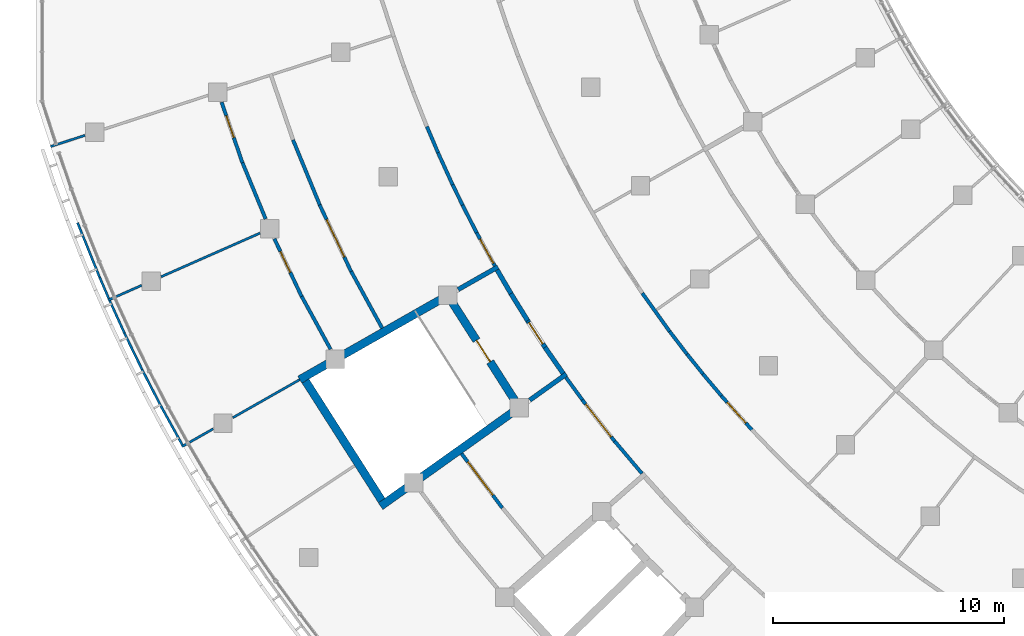
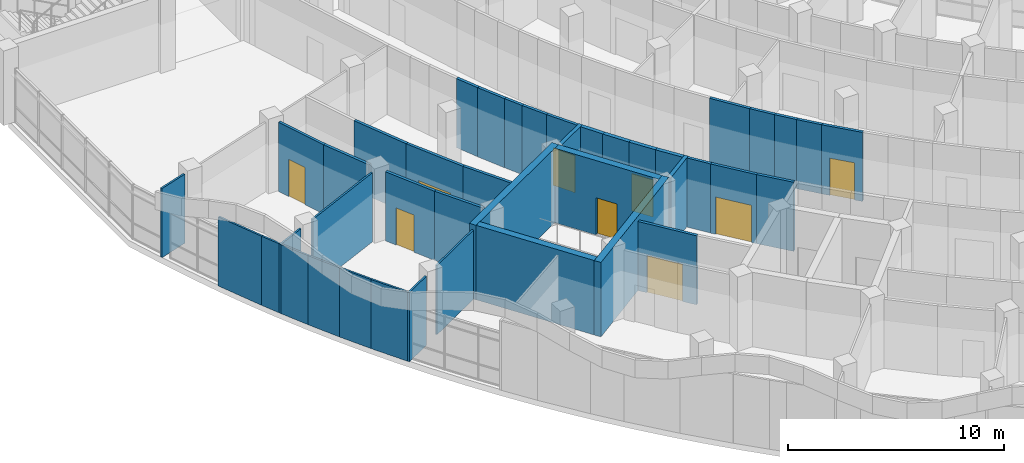
# One storey, part 70 of 137: 42 walls, 9 doors, 9 openings.
"""IFC4 building model written with IfcOpenShell, lengths in metres."""

from ifc_helpers import new_model, si_unit, direction, frame, frame_2d, origin, place, context, subcontext, project, spatial, rectangle, extrude, material, layer, layer_set, type_object, element, fill, save


model = new_model("IFC4")

# Units and contexts
model_context = context("Model", 3, precision=1e-05, world=origin(), true_north=direction((0.0, 1.0)))
body_context = subcontext(model_context, "Body", "Model", "MODEL_VIEW")
ifc_project = project(units=[si_unit("LENGTHUNIT", "METRE"), si_unit("AREAUNIT", "SQUARE_METRE"), si_unit("VOLUMEUNIT", "CUBIC_METRE"), si_unit("PLANEANGLEUNIT", "RADIAN"), si_unit("MASSUNIT", "GRAM", prefix="KILO")], contexts=[model_context])

# Site, building, storey
site_placement = place(None, origin())
site = spatial("IfcSite", under=ifc_project, at=site_placement, CompositionType="ELEMENT")
building_placement = place(site_placement, origin())
building = spatial("IfcBuilding", under=site, at=building_placement, Name="Bougainvillea Quay General Hospital", CompositionType="ELEMENT")
storey_placement = place(building_placement, frame((0.0, 0.0, 16.800048828125)))
storey = spatial("IfcBuildingStorey", under=building, at=storey_placement, Name="L03", CompositionType="ELEMENT", Elevation=16.800048828125)

# Walls
ifc_material_1 = material(Name="Gypsum board partition on steel studs", Category="steel")
ifc_layer_1 = layer(ifc_material_1, 0.10009765625)
ifc_layer_set_1 = layer_set([ifc_layer_1], Name="Gypsum board partition on steel studs")
wall_type_1 = type_object("IfcWallType", Name="Partition 100 Gypsum board partition EI 30", PredefinedType="PARTITIONING", material=ifc_layer_set_1)
wall_1_placement = place(storey_placement, frame((42.6259765625, 104.368896484375, 0.0), z_axis=(0.0, 0.0, 1.0), x_axis=(0.951042089894, 0.309061390748, 0.0)))
element("IfcWall", 1, at=wall_1_placement, inside=storey, type_object=wall_type_1, Name="Partition 100 mm EI 30", PredefinedType="PARTITIONING", context=body_context, shape_type="SweptSolid", body=[
    extrude(rectangle(XDim=1.565673828125, YDim=0.10009765625, at=frame_2d((0.78271484375, 0.0))), origin(), (0.0, 0.0, 1.0), 3.89990234375),
])
wall_2_placement = place(storey_placement, frame((48.3125, 91.371337890625, 0.0), z_axis=(0.0, 0.0, 1.0), x_axis=(0.869234661703, 0.494399739981, 0.0)))
element("IfcWall", 2, at=wall_2_placement, inside=storey, type_object=wall_type_1, Name="Partition 100 mm EI 30", PredefinedType="PARTITIONING", context=body_context, shape_type="SweptSolid", body=[
    extrude(rectangle(XDim=1.557861328125, YDim=0.10009765625, at=frame_2d((0.77880859375, 0.0))), origin(), (0.0, 0.0, 1.0), 3.89990234375),
])
wall_3_placement = place(storey_placement, frame((50.51513671875, 92.624267578125, 0.0), z_axis=(0.0, 0.0, 1.0), x_axis=(0.869240805435, 0.494388938152, 0.0)))
element("IfcWall", 3, at=wall_3_placement, inside=storey, type_object=wall_type_1, Name="Partition 100 mm EI 30", PredefinedType="PARTITIONING", context=body_context, shape_type="SweptSolid", body=[
    extrude(rectangle(XDim=3.337158203125, YDim=0.10009765625, at=frame_2d((1.66845703125, 0.0))), origin(), (0.0, 0.0, 1.0), 3.89990234375),
])
wall_4_placement = place(storey_placement, frame((45.1171875, 97.71484375, 0.0), z_axis=(0.0, 0.0, 1.0), x_axis=(0.914854349244, 0.403784001254, 0.0)))
element("IfcWall", 4, at=wall_4_placement, inside=storey, type_object=wall_type_1, Name="Partition 100 mm EI 30", PredefinedType="PARTITIONING", context=body_context, shape_type="SweptSolid", body=[
    extrude(rectangle(XDim=1.58837890625, YDim=0.10009765625, at=frame_2d((0.794189453125, 0.0))), origin(), (0.0, 0.0, 1.0), 3.89990234375),
])
wall_5_placement = place(storey_placement, frame((47.409912109375, 98.726806640625, 0.0), z_axis=(0.0, 0.0, 1.0), x_axis=(0.914855501136, 0.403781391401, 0.0)))
element("IfcWall", 5, at=wall_5_placement, inside=storey, type_object=wall_type_1, Name="Partition 100 mm EI 30", PredefinedType="PARTITIONING", context=body_context, shape_type="SweptSolid", body=[
    extrude(rectangle(XDim=4.682861328125, YDim=0.10009765625, at=frame_2d((2.34130859375, 0.0))), origin(), (0.0, 0.0, 1.0), 3.89990234375),
])
wall_6_placement = place(storey_placement, frame((43.791015625, 101.069091796875, 0.0), z_axis=(0.0, 0.0, 1.0), x_axis=(0.374360148829, -0.927283386549, 0.0)))
element("IfcWall", 6, at=wall_6_placement, inside=storey, type_object=wall_type_1, Name="Partition 100 mm EI 30", PredefinedType="PARTITIONING", context=body_context, shape_type="SweptSolid", body=[
    extrude(rectangle(XDim=2.5498046875, YDim=0.10009765625, at=frame_2d((1.27490234375, 0.0))), origin(), (0.0, 0.0, 1.0), 3.89990234375),
])
wall_7_placement = place(storey_placement, frame((47.3837890625, 93.15771484375, 0.0), z_axis=(0.0, 0.0, 1.0), x_axis=(0.483136563149, -0.87554500818, 0.0)))
element("IfcWall", 7, at=wall_7_placement, inside=storey, type_object=wall_type_1, Name="Partition 100 mm EI 30", PredefinedType="PARTITIONING", context=body_context, shape_type="SweptSolid", body=[
    extrude(rectangle(XDim=1.961669921875, YDim=0.10009765625, at=frame_2d((0.98095703125, 0.0))), origin(), (0.0, 0.0, 1.0), 3.89990234375),
])
wall_8_placement = place(storey_placement, frame((46.5830078125, 94.71240234375, 0.0), z_axis=(0.0, 0.0, 1.0), x_axis=(0.458671346527, -0.888605984604, 0.0)))
element("IfcWall", 8, at=wall_8_placement, inside=storey, type_object=wall_type_1, Name="Partition 100 mm EI 30", PredefinedType="PARTITIONING", context=body_context, shape_type="SweptSolid", body=[
    extrude(rectangle(XDim=1.750244140625, YDim=0.10009765625, at=frame_2d((0.875, 0.0))), origin(), (0.0, 0.0, 1.0), 3.89990234375),
])
wall_9_placement = place(storey_placement, frame((45.8203125, 96.285888671875, 0.0), z_axis=(0.0, 0.0, 1.0), x_axis=(0.436858804859, -0.899530091002, 0.0)))
element("IfcWall", 9, at=wall_9_placement, inside=storey, type_object=wall_type_1, Name="Partition 100 mm EI 30", PredefinedType="PARTITIONING", context=body_context, shape_type="SweptSolid", body=[
    extrude(rectangle(XDim=1.749755859375, YDim=0.10009765625, at=frame_2d((0.875, 0.0))), origin(), (0.0, 0.0, 1.0), 3.89990234375),
])
wall_10_placement = place(storey_placement, frame((45.183837890625, 97.68896484375, 0.0), z_axis=(0.0, 0.0, 1.0), x_axis=(0.413779082593, -0.910377323316, 0.0)))
element("IfcWall", 10, at=wall_10_placement, inside=storey, type_object=wall_type_1, Name="Partition 100 mm EI 30", PredefinedType="PARTITIONING", context=body_context, shape_type="SweptSolid", body=[
    extrude(rectangle(XDim=1.541748046875, YDim=0.10009765625, at=frame_2d((0.77099609375, 0.0))), origin(), (0.0, 0.0, 1.0), 3.89990234375),
])
wall_11_placement = place(storey_placement, frame((44.746337890625, 98.7060546875, 0.0), z_axis=(0.0, 0.0, 1.0), x_axis=(0.394329278157, -0.918969216235, 0.0)))
element("IfcWall", 11, at=wall_11_placement, inside=storey, type_object=wall_type_1, Name="Partition 100 mm EI 30", PredefinedType="PARTITIONING", context=body_context, shape_type="SweptSolid", body=[
    extrude(rectangle(XDim=1.006103515625, YDim=0.10009765625, at=frame_2d((0.5029296875, 0.0))), origin(), (0.0, 0.0, 1.0), 3.89990234375),
])

# Wall, opening, door
ifc_material_2 = material(Name="Gypsum board partition on steel studs, insulated", Category="steel")
ifc_layer_2 = layer(ifc_material_2, 0.14990234375)
ifc_layer_set_2 = layer_set([ifc_layer_2], Name="Gypsum board partition on steel studs, insulated")
wall_type_2 = type_object("IfcWallType", Name="Partition 150 Gypsum board partition EI 30", PredefinedType="PARTITIONING", material=ifc_layer_set_2)
wall_12_placement = place(storey_placement, frame((50.03076171875, 106.2890625, 0.0), z_axis=(0.0, 0.0, 1.0), x_axis=(0.324824658283, -0.945774254974, 0.0)))
wall_12 = element("IfcWall", 12, at=wall_12_placement, inside=storey, type_object=wall_type_2, Name="Partition 150 mm EI 30", PredefinedType="PARTITIONING", context=body_context, shape_type="SweptSolid", body=[
    extrude(rectangle(XDim=2.78173828125, YDim=0.14990234375, at=frame_2d((1.390869140625, 0.0))), origin(), (0.0, 0.0, 1.0), 3.89990234375),
])
opening_1_placement = place(wall_12_placement, frame((0.62451171875, 0.0, 0.0)))
opening_1 = element("IfcOpeningElement", 13, at=opening_1_placement, cuts=wall_12, Name="Opening L03.170", PredefinedType="OPENING", context=body_context, shape_type="SweptSolid", body=[
    extrude(rectangle(XDim=1.0, YDim=2.10009765625, at=frame_2d((0.5, 1.050048828125))), frame((0.0, 0.0849609375, 0.0), z_axis=(0.0, -1.0, 0.0), x_axis=(1.0, 0.0, 0.0)), (0.0, 0.0, 1.0), 0.169921875),
])
ifc_material_3 = material(Name="Solid-core timber door leaf in steel frame", Category="steel")
door_type_1 = type_object("IfcDoorType", Name="Single leaf door 1000x2100 FD30S", OperationType="NOTDEFINED", PredefinedType="DOOR", material=ifc_material_3)
door_1_placement = place(opening_1_placement, frame((1.0, 0.0, 0.0), z_axis=(0.0, 0.0, 1.0), x_axis=(-1.0, 0.0, 0.0)))
door_1 = element("IfcDoor", 14, at=door_1_placement, inside=storey, type_object=door_type_1, Name="DT15 L03.170", OperationType="SINGLE_SWING_RIGHT", OverallHeight=2.10009765625, OverallWidth=1.0, PredefinedType="DOOR", context=body_context, shape_type="SweptSolid", body=[
    extrude(rectangle(XDim=1.0, YDim=2.10009765625, at=frame_2d((0.5, 1.050048828125))), frame((0.0, 0.02490234375, 0.0), z_axis=(0.0, -1.0, 0.0), x_axis=(1.0, 0.0, 0.0)), (0.0, 0.0, 1.0), 0.050048828125),
])
fill(opening_1, door_1)

wall_13_placement = place(storey_placement, frame((52.3173828125, 100.37158203125, 0.0), z_axis=(0.0, 0.0, 1.0), x_axis=(0.426699152938, -0.904393627179, 0.0)))
wall_13 = element("IfcWall", 15, at=wall_13_placement, inside=storey, type_object=wall_type_2, Name="Partition 150 mm EI 30", PredefinedType="PARTITIONING", context=body_context, shape_type="SweptSolid", body=[
    extrude(rectangle(XDim=2.762451171875, YDim=0.14990234375, at=frame_2d((1.38134765625, 0.0))), origin(), (0.0, 0.0, 1.0), 3.89990234375),
])
opening_2_placement = place(wall_13_placement, frame((0.605224609375, 0.0, 0.0)))
opening_2 = element("IfcOpeningElement", 16, at=opening_2_placement, cuts=wall_13, Name="Opening L03.169", PredefinedType="OPENING", context=body_context, shape_type="SweptSolid", body=[
    extrude(rectangle(XDim=1.0, YDim=2.10009765625, at=frame_2d((0.5, 1.050048828125))), frame((0.0, 0.0849609375, 0.0), z_axis=(0.0, -1.0, 0.0), x_axis=(1.0, 0.0, 0.0)), (0.0, 0.0, 1.0), 0.169921875),
])
door_2_placement = place(opening_2_placement, frame((1.0, 0.0, 0.0), z_axis=(0.0, 0.0, 1.0), x_axis=(-1.0, 0.0, 0.0)))
door_2 = element("IfcDoor", 17, at=door_2_placement, inside=storey, type_object=door_type_1, Name="DT15 L03.169", OperationType="SINGLE_SWING_RIGHT", OverallHeight=2.10009765625, OverallWidth=1.0, PredefinedType="DOOR", context=body_context, shape_type="SweptSolid", body=[
    extrude(rectangle(XDim=1.0, YDim=2.10009765625, at=frame_2d((0.5, 1.050048828125))), frame((0.0, 0.02490234375, 0.0), z_axis=(0.0, -1.0, 0.0), x_axis=(1.0, 0.0, 0.0)), (0.0, 0.0, 1.0), 0.050048828125),
])
fill(opening_2, door_2)

# Walls
wall_14_placement = place(storey_placement, frame((50.93701171875, 103.66357421875, 0.0), z_axis=(0.0, 0.0, 1.0), x_axis=(0.380525729279, -0.924770333302, 0.0)))
element("IfcWall", 18, at=wall_14_placement, inside=storey, type_object=wall_type_2, Name="Partition 150 mm EI 30", PredefinedType="PARTITIONING", context=body_context, shape_type="SweptSolid", body=[
    extrude(rectangle(XDim=2.630615234375, YDim=0.14990234375, at=frame_2d((1.3154296875, 0.0))), origin(), (0.0, 0.0, 1.0), 3.89990234375),
])
wall_15_placement = place(storey_placement, frame((53.497802734375, 97.87890625, 0.0), z_axis=(0.0, 0.0, 1.0), x_axis=(0.479886541842, -0.877330557407, 0.0)))
element("IfcWall", 19, at=wall_15_placement, inside=storey, type_object=wall_type_2, Name="Partition 150 mm EI 30", PredefinedType="PARTITIONING", context=body_context, shape_type="SweptSolid", body=[
    extrude(rectangle(XDim=2.61181640625, YDim=0.14990234375, at=frame_2d((1.305908203125, 0.0))), origin(), (0.0, 0.0, 1.0), 3.89990234375),
])

# Wall, opening, door
wall_16_placement = place(storey_placement, frame((54.277099609375, 101.83984375, 0.0), z_axis=(0.0, 0.0, 1.0), x_axis=(0.426790955489, -0.904350308405, 0.0)))
wall_16 = element("IfcWall", 20, at=wall_16_placement, inside=storey, type_object=wall_type_2, Name="Partition 150 mm EI 30", PredefinedType="PARTITIONING", context=body_context, shape_type="SweptSolid", body=[
    extrude(rectangle(XDim=3.193115234375, YDim=0.14990234375, at=frame_2d((1.5966796875, 0.0))), origin(), (0.0, 0.0, 1.0), 3.89990234375),
])
opening_3_placement = place(wall_16_placement, frame((0.696533203125, 0.0, 0.0)))
opening_3 = element("IfcOpeningElement", 21, at=opening_3_placement, cuts=wall_16, Name="Opening L03.141", PredefinedType="OPENING", context=body_context, shape_type="SweptSolid", body=[
    extrude(rectangle(XDim=1.800048828125, YDim=2.10009765625, at=frame_2d((0.89990234375, 1.050048828125))), frame((0.0, 0.0849609375, 0.0), z_axis=(0.0, -1.0, 0.0), x_axis=(1.0, 0.0, 0.0)), (0.0, 0.0, 1.0), 0.169921875),
])
ifc_material_4 = material(Name="Solid-core timber door leaves in steel frame", Category="steel")
door_type_2 = type_object("IfcDoorType", Name="Double leaf door 1800x2100", OperationType="DOUBLE_DOOR_SINGLE_SWING", PredefinedType="DOOR", material=ifc_material_4)
door_3_placement = place(opening_3_placement, frame((1.800048828125, 0.0, 0.0), z_axis=(0.0, 0.0, 1.0), x_axis=(-1.0, 0.0, 0.0)))
door_3 = element("IfcDoor", 22, at=door_3_placement, inside=storey, type_object=door_type_2, Name="DT08 L03.141", OperationType="DOUBLE_DOOR_SINGLE_SWING", OverallHeight=2.10009765625, OverallWidth=1.800048828125, PredefinedType="DOOR", context=body_context, shape_type="SweptSolid", body=[
    extrude(rectangle(XDim=1.800048828125, YDim=2.10009765625, at=frame_2d((0.89990234375, 1.050048828125))), frame((0.0, 0.02490234375, 0.0), z_axis=(0.0, -1.0, 0.0), x_axis=(1.0, 0.0, 0.0)), (0.0, 0.0, 1.0), 0.050048828125),
])
fill(opening_3, door_3)

# Wall
wall_17_placement = place(storey_placement, frame((53.12255859375, 104.655517578125, 0.0), z_axis=(0.0, 0.0, 1.0), x_axis=(0.380463637507, -0.92479588047, 0.0)))
element("IfcWall", 23, at=wall_17_placement, inside=storey, type_object=wall_type_2, Name="Partition 150 mm EI 30", PredefinedType="PARTITIONING", context=body_context, shape_type="SweptSolid", body=[
    extrude(rectangle(XDim=3.046875, YDim=0.14990234375, at=frame_2d((1.5234375, 0.0))), origin(), (0.0, 0.0, 1.0), 3.89990234375),
])

# Wall, opening, door
wall_18_placement = place(storey_placement, frame((60.4228515625, 91.06787109375, 0.0), z_axis=(0.0, 0.0, 1.0), x_axis=(0.600119519183, -0.799910346661, 0.0)))
wall_18 = element("IfcWall", 24, at=wall_18_placement, inside=storey, type_object=wall_type_2, Name="Partition 150 mm EI 30", PredefinedType="PARTITIONING", context=body_context, shape_type="SweptSolid", body=[
    extrude(rectangle(XDim=2.94140625, YDim=0.14990234375, at=frame_2d((1.470703125, 0.0))), origin(), (0.0, 0.0, 1.0), 3.89990234375),
])
opening_4_placement = place(wall_18_placement, frame((0.44482421875, 0.0, 0.0)))
opening_4 = element("IfcOpeningElement", 25, at=opening_4_placement, cuts=wall_18, Name="Opening L03.140", PredefinedType="OPENING", context=body_context, shape_type="SweptSolid", body=[
    extrude(rectangle(XDim=1.800048828125, YDim=2.10009765625, at=frame_2d((0.89990234375, 1.050048828125))), frame((0.0, 0.0849609375, 0.0), z_axis=(0.0, -1.0, 0.0), x_axis=(1.0, 0.0, 0.0)), (0.0, 0.0, 1.0), 0.169921875),
])
door_4_placement = place(opening_4_placement, frame((1.800048828125, 0.0, 0.0), z_axis=(0.0, 0.0, 1.0), x_axis=(-1.0, 0.0, 0.0)))
door_4 = element("IfcDoor", 26, at=door_4_placement, inside=storey, type_object=door_type_2, Name="DT08 L03.140", OperationType="DOUBLE_DOOR_SINGLE_SWING", OverallHeight=2.10009765625, OverallWidth=1.800048828125, PredefinedType="DOOR", context=body_context, shape_type="SweptSolid", body=[
    extrude(rectangle(XDim=1.800048828125, YDim=2.10009765625, at=frame_2d((0.89990234375, 1.050048828125))), frame((0.0, 0.02490234375, 0.0), z_axis=(0.0, -1.0, 0.0), x_axis=(1.0, 0.0, 0.0)), (0.0, 0.0, 1.0), 0.050048828125),
])
fill(opening_4, door_4)

# Wall
wall_19_placement = place(storey_placement, frame((55.64208984375, 98.9580078125, 0.0), z_axis=(0.0, 0.0, 1.0), x_axis=(0.479861725731, -0.877344130988, 0.0)))
element("IfcWall", 27, at=wall_19_placement, inside=storey, type_object=wall_type_2, Name="Partition 150 mm EI 30", PredefinedType="PARTITIONING", context=body_context, shape_type="SweptSolid", body=[
    extrude(rectangle(XDim=2.794677734375, YDim=0.14990234375, at=frame_2d((1.3974609375, 0.0))), origin(), (0.0, 0.0, 1.0), 3.89990234375),
])

# Wall, opening, door
wall_20_placement = place(storey_placement, frame((65.646728515625, 93.401123046875, 0.0), z_axis=(0.0, 0.0, 1.0), x_axis=(0.615999292534, -0.787746705228, 0.0)))
wall_20 = element("IfcWall", 28, at=wall_20_placement, inside=storey, type_object=wall_type_2, Name="Partition 150 mm EI 30", PredefinedType="PARTITIONING", context=body_context, shape_type="SweptSolid", body=[
    extrude(rectangle(XDim=2.280029296875, YDim=0.14990234375, at=frame_2d((1.14013671875, 0.0))), origin(), (0.0, 0.0, 1.0), 3.89990234375),
])
opening_5_placement = place(wall_20_placement, frame((0.239990234375, 0.0, 0.0)))
opening_5 = element("IfcOpeningElement", 29, at=opening_5_placement, cuts=wall_20, Name="Opening L03.154", PredefinedType="OPENING", context=body_context, shape_type="SweptSolid", body=[
    extrude(rectangle(XDim=1.800048828125, YDim=2.10009765625, at=frame_2d((0.89990234375, 1.050048828125))), frame((0.0, 0.0849609375, 0.0), z_axis=(0.0, -1.0, 0.0), x_axis=(1.0, 0.0, 0.0)), (0.0, 0.0, 1.0), 0.169921875),
])
door_5_placement = place(opening_5_placement, origin())
door_5 = element("IfcDoor", 30, at=door_5_placement, inside=storey, type_object=door_type_2, Name="DT08 L03.154", OperationType="DOUBLE_DOOR_SINGLE_SWING", OverallHeight=2.10009765625, OverallWidth=1.800048828125, PredefinedType="DOOR", context=body_context, shape_type="SweptSolid", body=[
    extrude(rectangle(XDim=1.800048828125, YDim=2.10009765625, at=frame_2d((0.89990234375, 1.050048828125))), frame((0.0, 0.02490234375, 0.0), z_axis=(0.0, -1.0, 0.0), x_axis=(1.0, 0.0, 0.0)), (0.0, 0.0, 1.0), 0.050048828125),
])
fill(opening_5, door_5)

# Walls
wall_21_placement = place(storey_placement, frame((67.051513671875, 91.60888671875, 0.0), z_axis=(0.0, 0.0, 1.0), x_axis=(0.645369063346, -0.763870913228, 0.0)))
element("IfcWall", 31, at=wall_21_placement, inside=storey, type_object=wall_type_2, Name="Partition 150 mm EI 30", PredefinedType="PARTITIONING", context=body_context, shape_type="SweptSolid", body=[
    extrude(rectangle(XDim=1.83349609375, YDim=0.14990234375, at=frame_2d((0.916748046875, 0.0))), origin(), (0.0, 0.0, 1.0), 3.89990234375),
])
wall_22_placement = place(storey_placement, frame((68.247314453125, 98.02001953125, 0.0), z_axis=(0.0, 0.0, 1.0), x_axis=(0.580842026392, -0.81401630228, 0.0)))
element("IfcWall", 32, at=wall_22_placement, inside=storey, type_object=wall_type_2, Name="Partition 150 mm EI 30", PredefinedType="PARTITIONING", context=body_context, shape_type="SweptSolid", body=[
    extrude(rectangle(XDim=2.040771484375, YDim=0.14990234375, at=frame_2d((1.0205078125, 0.0))), origin(), (0.0, 0.0, 1.0), 3.89990234375),
])

# Wall, opening, door
wall_23_placement = place(storey_placement, frame((71.666748046875, 93.576904296875, 0.0), z_axis=(0.0, 0.0, 1.0), x_axis=(0.668733315137, -0.743502355898, 0.0)))
wall_23 = element("IfcWall", 33, at=wall_23_placement, inside=storey, type_object=wall_type_2, Name="Partition 150 mm EI 30", PredefinedType="PARTITIONING", context=body_context, shape_type="SweptSolid", body=[
    extrude(rectangle(XDim=1.98193359375, YDim=0.14990234375, at=frame_2d((0.990966796875, 0.0))), origin(), (0.0, 0.0, 1.0), 3.89990234375),
])
opening_6_placement = place(wall_23_placement, frame((0.390869140625, 0.0, 0.0)))
opening_6 = element("IfcOpeningElement", 34, at=opening_6_placement, cuts=wall_23, Name="Opening L03.157", PredefinedType="OPENING", context=body_context, shape_type="SweptSolid", body=[
    extrude(rectangle(XDim=1.199951171875, YDim=2.10009765625, at=frame_2d((0.60009765625, 1.050048828125))), frame((0.0, 0.0849609375, 0.0), z_axis=(0.0, -1.0, 0.0), x_axis=(1.0, 0.0, 0.0)), (0.0, 0.0, 1.0), 0.169921875),
])
door_type_3 = type_object("IfcDoorType", Name="Single leaf door 1200x2100", OperationType="NOTDEFINED", PredefinedType="DOOR", material=ifc_material_3)
door_6_placement = place(opening_6_placement, frame((1.199951171875, 0.0, 0.0), z_axis=(0.0, 0.0, 1.0), x_axis=(-1.0, 0.0, 0.0)))
door_6 = element("IfcDoor", 35, at=door_6_placement, inside=storey, type_object=door_type_3, Name="DT13 L03.157", OperationType="SINGLE_SWING_RIGHT", OverallHeight=2.10009765625, OverallWidth=1.199951171875, PredefinedType="DOOR", context=body_context, shape_type="SweptSolid", body=[
    extrude(rectangle(XDim=1.199951171875, YDim=2.10009765625, at=frame_2d((0.60009765625, 1.050048828125))), frame((0.0, 0.02490234375, 0.0), z_axis=(0.0, -1.0, 0.0), x_axis=(1.0, 0.0, 0.0)), (0.0, 0.0, 1.0), 0.050048828125),
])
fill(opening_6, door_6)

wall_24_placement = place(storey_placement, frame((61.07080078125, 100.640869140625, 0.0), z_axis=(0.0, 0.0, 1.0), x_axis=(0.481122709727, -0.876653259952, 0.0)))
wall_24 = element("IfcWall", 36, at=wall_24_placement, inside=storey, type_object=wall_type_2, Name="Partition 150 mm EI 30", PredefinedType="PARTITIONING", context=body_context, shape_type="SweptSolid", body=[
    extrude(rectangle(XDim=1.648681640625, YDim=0.14990234375, at=frame_2d((0.82421875, 0.0))), origin(), (0.0, 0.0, 1.0), 3.89990234375),
])
opening_7_placement = place(wall_24_placement, frame((0.312744140625, 0.0, 0.0)))
opening_7 = element("IfcOpeningElement", 37, at=opening_7_placement, cuts=wall_24, Name="Opening L03.155", PredefinedType="OPENING", context=body_context, shape_type="SweptSolid", body=[
    extrude(rectangle(XDim=1.199951171875, YDim=2.10009765625, at=frame_2d((0.60009765625, 1.050048828125))), frame((0.0, 0.0849609375, 0.0), z_axis=(0.0, -1.0, 0.0), x_axis=(1.0, 0.0, 0.0)), (0.0, 0.0, 1.0), 0.169921875),
])
door_7_placement = place(opening_7_placement, origin())
door_7 = element("IfcDoor", 38, at=door_7_placement, inside=storey, type_object=door_type_3, Name="DT13 L03.155", OperationType="SINGLE_SWING_RIGHT", OverallHeight=2.10009765625, OverallWidth=1.199951171875, PredefinedType="DOOR", context=body_context, shape_type="SweptSolid", body=[
    extrude(rectangle(XDim=1.199951171875, YDim=2.10009765625, at=frame_2d((0.60009765625, 1.050048828125))), frame((0.0, 0.02490234375, 0.0), z_axis=(0.0, -1.0, 0.0), x_axis=(1.0, 0.0, 0.0)), (0.0, 0.0, 1.0), 0.050048828125),
])
fill(opening_7, door_7)

# Walls
wall_25_placement = place(storey_placement, frame((64.939208984375, 94.373779296875, 0.0), z_axis=(0.0, 0.0, 1.0), x_axis=(0.589904843898, -0.807472770529, 0.0)))
element("IfcWall", 39, at=wall_25_placement, inside=storey, type_object=wall_type_2, Name="Partition 150 mm EI 30", PredefinedType="PARTITIONING", context=body_context, shape_type="SweptSolid", body=[
    extrude(rectangle(XDim=1.205078125, YDim=0.14990234375, at=frame_2d((0.6025390625, 0.0))), origin(), (0.0, 0.0, 1.0), 3.89990234375),
])
wall_26_placement = place(storey_placement, frame((59.40087890625, 104.101318359375, 0.0), z_axis=(0.0, 0.0, 1.0), x_axis=(0.415269380583, -0.909698489363, 0.0)))
element("IfcWall", 40, at=wall_26_placement, inside=storey, type_object=wall_type_2, Name="Partition 150 mm EI 30", PredefinedType="PARTITIONING", context=body_context, shape_type="SweptSolid", body=[
    extrude(rectangle(XDim=1.52978515625, YDim=0.14990234375, at=frame_2d((0.764892578125, 0.0))), origin(), (0.0, 0.0, 1.0), 3.89990234375),
])
wall_27_placement = place(storey_placement, frame((58.919677734375, 105.23486328125, 0.0), z_axis=(0.0, 0.0, 1.0), x_axis=(0.392150618993, -0.919901022949, 0.0)))
element("IfcWall", 41, at=wall_27_placement, inside=storey, type_object=wall_type_2, Name="Partition 150 mm EI 30", PredefinedType="PARTITIONING", context=body_context, shape_type="SweptSolid", body=[
    extrude(rectangle(XDim=1.2333984375, YDim=0.14990234375, at=frame_2d((0.61669921875, 0.0))), origin(), (0.0, 0.0, 1.0), 3.89990234375),
])
wall_28_placement = place(storey_placement, frame((60.461669921875, 101.831787109375, 0.0), z_axis=(0.0, 0.0, 1.0), x_axis=(0.456808582034, -0.889565016949, 0.0)))
element("IfcWall", 42, at=wall_28_placement, inside=storey, type_object=wall_type_2, Name="Partition 150 mm EI 30", PredefinedType="PARTITIONING", context=body_context, shape_type="SweptSolid", body=[
    extrude(rectangle(XDim=1.33984375, YDim=0.14990234375, at=frame_2d((0.669921875, 0.0))), origin(), (0.0, 0.0, 1.0), 3.89990234375),
])
wall_29_placement = place(storey_placement, frame((69.43310546875, 96.3623046875, 0.0), z_axis=(0.0, 0.0, 1.0), x_axis=(0.606457599152, -0.795115828311, 0.0)))
element("IfcWall", 43, at=wall_29_placement, inside=storey, type_object=wall_type_2, Name="Partition 150 mm EI 30", PredefinedType="PARTITIONING", context=body_context, shape_type="SweptSolid", body=[
    extrude(rectangle(XDim=1.242431640625, YDim=0.14990234375, at=frame_2d((0.62109375, 0.0))), origin(), (0.0, 0.0, 1.0), 3.89990234375),
])
wall_30_placement = place(storey_placement, frame((70.86865234375, 94.525390625, 0.0), z_axis=(0.0, 0.0, 1.0), x_axis=(0.645236922374, -0.763982535144, 0.0)))
element("IfcWall", 44, at=wall_30_placement, inside=storey, type_object=wall_type_2, Name="Partition 150 mm EI 30", PredefinedType="PARTITIONING", context=body_context, shape_type="SweptSolid", body=[
    extrude(rectangle(XDim=1.241943359375, YDim=0.14990234375, at=frame_2d((0.62109375, 0.0))), origin(), (0.0, 0.0, 1.0), 3.89990234375),
])
wall_31_placement = place(storey_placement, frame((70.186767578125, 95.376953125, 0.0), z_axis=(0.0, 0.0, 1.0), x_axis=(0.626301399266, -0.779581013928, 0.0)))
element("IfcWall", 45, at=wall_31_placement, inside=storey, type_object=wall_type_2, Name="Partition 150 mm EI 30", PredefinedType="PARTITIONING", context=body_context, shape_type="SweptSolid", body=[
    extrude(rectangle(XDim=1.092529296875, YDim=0.14990234375, at=frame_2d((0.54638671875, 0.0))), origin(), (0.0, 0.0, 1.0), 3.89990234375),
])
wall_32_placement = place(storey_placement, frame((60.037109375, 102.7119140625, 0.0), z_axis=(0.0, 0.0, 1.0), x_axis=(0.43620619425, -0.899846740339, 0.0)))
element("IfcWall", 46, at=wall_32_placement, inside=storey, type_object=wall_type_2, Name="Partition 150 mm EI 30", PredefinedType="PARTITIONING", context=body_context, shape_type="SweptSolid", body=[
    extrude(rectangle(XDim=0.97900390625, YDim=0.14990234375, at=frame_2d((0.489501953125, 0.0))), origin(), (0.0, 0.0, 1.0), 3.89990234375),
])
ifc_material_5 = material(Name="Fire-rated autoclaved aerated block wall, plastered")
ifc_layer_3 = layer(ifc_material_5, 0.199951171875)
ifc_layer_set_3 = layer_set([ifc_layer_3], Name="Fire-rated autoclaved aerated block wall, plastered")
wall_type_3 = type_object("IfcWallType", Name="Partition 200 Fire-rated autoclaved aerated block wall EI 120", PredefinedType="SOLIDWALL", material=ifc_layer_set_3)
wall_33_placement = place(storey_placement, frame((60.2744140625, 98.1748046875, 0.0), z_axis=(0.0, 0.0, 1.0), x_axis=(0.869398915424, 0.494110843698, 0.0)))
element("IfcWall", 47, at=wall_33_placement, inside=storey, type_object=wall_type_3, Name="Partition 200 mm EI 120", PredefinedType="SOLIDWALL", context=body_context, shape_type="SweptSolid", body=[
    extrude(rectangle(XDim=1.98486328125, YDim=0.199951171875, at=frame_2d((0.992431640625, 0.0))), origin(), (0.0, 0.0, 1.0), 3.89990234375),
])
wall_34_placement = place(storey_placement, frame((63.3740234375, 93.385009765625, 0.0), z_axis=(0.0, 0.0, 1.0), x_axis=(0.814765781477, 0.579790239081, 0.0)))
element("IfcWall", 48, at=wall_34_placement, inside=storey, type_object=wall_type_3, Name="Partition 200 mm EI 120", PredefinedType="SOLIDWALL", context=body_context, shape_type="SweptSolid", body=[
    extrude(rectangle(XDim=1.947021484375, YDim=0.199951171875, at=frame_2d((0.9736328125, 0.0))), origin(), (0.0, 0.0, 1.0), 3.89990234375),
])
wall_35_placement = place(storey_placement, frame((64.035888671875, 95.672119140625, 0.0), z_axis=(0.0, 0.0, 1.0), x_axis=(0.569771647524, -0.821803060153, 0.0)))
element("IfcWall", 49, at=wall_35_placement, inside=storey, type_object=wall_type_3, Name="Partition 200 mm EI 120", PredefinedType="SOLIDWALL", context=body_context, shape_type="SweptSolid", body=[
    extrude(rectangle(XDim=1.37841796875, YDim=0.199951171875, at=frame_2d((0.689208984375, 0.0))), origin(), (0.0, 0.0, 1.0), 3.89990234375),
])

# Wall, opening, door
wall_36_placement = place(storey_placement, frame((63.2822265625, 96.82763671875, 0.0), z_axis=(0.0, 0.0, 1.0), x_axis=(0.54791545279, -0.836533715156, 0.0)))
wall_36 = element("IfcWall", 50, at=wall_36_placement, inside=storey, type_object=wall_type_3, Name="Partition 200 mm EI 120", PredefinedType="SOLIDWALL", context=body_context, shape_type="SweptSolid", body=[
    extrude(rectangle(XDim=1.382080078125, YDim=0.199951171875, at=frame_2d((0.69091796875, 0.0))), origin(), (0.0, 0.0, 1.0), 3.89990234375),
])
opening_8_placement = place(wall_36_placement, frame((0.10009765625, 0.0, 0.0)))
opening_8 = element("IfcOpeningElement", 51, at=opening_8_placement, cuts=wall_36, Name="Opening L03.230", PredefinedType="OPENING", context=body_context, shape_type="SweptSolid", body=[
    extrude(rectangle(XDim=1.10009765625, YDim=2.10009765625, at=frame_2d((0.550048828125, 1.050048828125))), frame((0.0, 0.10986328125, 0.0), z_axis=(0.0, -1.0, 0.0), x_axis=(1.0, 0.0, 0.0)), (0.0, 0.0, 1.0), 0.219970703125),
])
ifc_material_6 = material(Name="Steel fire door leaf in steel frame", Category="steel")
door_type_4 = type_object("IfcDoorType", Name="Steel single leaf door 1100x2100 FD60", OperationType="NOTDEFINED", PredefinedType="DOOR", material=ifc_material_6)
door_8_placement = place(opening_8_placement, frame((1.10009765625, 0.0, 0.0), z_axis=(0.0, 0.0, 1.0), x_axis=(-1.0, 0.0, 0.0)))
door_8 = element("IfcDoor", 52, at=door_8_placement, inside=storey, type_object=door_type_4, Name="DT04 L03.230", OperationType="SINGLE_SWING_RIGHT", OverallHeight=2.10009765625, OverallWidth=1.10009765625, PredefinedType="DOOR", context=body_context, shape_type="SweptSolid", body=[
    extrude(rectangle(XDim=1.10009765625, YDim=2.10009765625, at=frame_2d((0.550048828125, 1.050048828125))), frame((0.0, 0.02490234375, 0.0), z_axis=(0.0, -1.0, 0.0), x_axis=(1.0, 0.0, 0.0)), (0.0, 0.0, 1.0), 0.050048828125),
])
fill(opening_8, door_8)

# Walls
wall_37_placement = place(storey_placement, frame((62.557373046875, 98.0009765625, 0.0), z_axis=(0.0, 0.0, 1.0), x_axis=(0.526993282669, -0.849869448811, 0.0)))
element("IfcWall", 53, at=wall_37_placement, inside=storey, type_object=wall_type_3, Name="Partition 200 mm EI 120", PredefinedType="SOLIDWALL", context=body_context, shape_type="SweptSolid", body=[
    extrude(rectangle(XDim=1.381591796875, YDim=0.199951171875, at=frame_2d((0.69091796875, 0.0))), origin(), (0.0, 0.0, 1.0), 3.89990234375),
])
wall_38_placement = place(storey_placement, frame((61.964111328125, 99.0185546875, 0.0), z_axis=(0.0, 0.0, 1.0), x_axis=(0.505554921375, -0.862794425963, 0.0)))
element("IfcWall", 54, at=wall_38_placement, inside=storey, type_object=wall_type_3, Name="Partition 200 mm EI 120", PredefinedType="SOLIDWALL", context=body_context, shape_type="SweptSolid", body=[
    extrude(rectangle(XDim=1.18017578125, YDim=0.199951171875, at=frame_2d((0.590087890625, 0.0))), origin(), (0.0, 0.0, 1.0), 3.89990234375),
])
ifc_material_7 = material(Name="Concrete C40", Category="concrete")
ifc_layer_4 = layer(ifc_material_7, 0.35009765625)
ifc_layer_set_4 = layer_set([ifc_layer_4], Name="Concrete C40")
wall_type_4 = type_object("IfcWallType", Name="RC SHEAR WALL 350 C40", PredefinedType="SHEAR", material=ifc_layer_set_4)
wall_39_placement = place(storey_placement, frame((53.415771484375, 94.2744140625, 0.0), z_axis=(0.0, 0.0, 1.0), x_axis=(0.869250335475, 0.494372181941, 0.0)))
element("IfcWall", 55, at=wall_39_placement, inside=storey, type_object=wall_type_4, Name="Shear wall L03", PredefinedType="SHEAR", context=body_context, shape_type="SweptSolid", body=[
    extrude(rectangle(XDim=7.54931640625, YDim=0.35009765625, at=frame_2d((3.774658203125, 0.0))), origin(), (0.0, 0.0, 1.0), 4.199951171875),
])
wall_40_placement = place(storey_placement, frame((56.91552734375, 88.78857421875, 0.0), z_axis=(0.0, 0.0, 1.0), x_axis=(0.814717690591, 0.579857814157, 0.0)))
element("IfcWall", 56, at=wall_40_placement, inside=storey, type_object=wall_type_4, Name="Shear wall L03", PredefinedType="SHEAR", context=body_context, shape_type="SweptSolid", body=[
    extrude(rectangle(XDim=7.550048828125, YDim=0.35009765625, at=frame_2d((3.77490234375, 0.0))), origin(), (0.0, 0.0, 1.0), 4.199951171875),
])
wall_41_placement = place(storey_placement, frame((56.9638671875, 89.03759765625, 0.0), z_axis=(0.0, 0.0, 1.0), x_axis=(-0.537811796172, 0.843064927451, 0.0)))
element("IfcWall", 57, at=wall_41_placement, inside=storey, type_object=wall_type_4, Name="Shear wall L03", PredefinedType="SHEAR", context=body_context, shape_type="SweptSolid", body=[
    extrude(rectangle(XDim=6.13916015625, YDim=0.35009765625, at=frame_2d((3.069580078125, 0.0))), origin(), (0.0, 0.0, 1.0), 4.199951171875),
])

# Wall, opening, door
wall_42_placement = place(storey_placement, frame((62.829833984375, 93.21240234375, 0.0), z_axis=(0.0, 0.0, 1.0), x_axis=(-0.537903079352, 0.843006688718, 0.0)))
wall_42 = element("IfcWall", 58, at=wall_42_placement, inside=storey, type_object=wall_type_4, Name="Shear wall L03", PredefinedType="SHEAR", context=body_context, shape_type="SweptSolid", body=[
    extrude(rectangle(XDim=5.4091796875, YDim=0.35009765625, at=frame_2d((2.70458984375, 0.0))), origin(), (0.0, 0.0, 1.0), 4.199951171875),
])
opening_9_placement = place(wall_42_placement, frame((2.173828125, 0.0, 0.0)))
opening_9 = element("IfcOpeningElement", 59, at=opening_9_placement, cuts=wall_42, Name="Opening L03.229", PredefinedType="OPENING", context=body_context, shape_type="SweptSolid", body=[
    extrude(rectangle(XDim=1.10009765625, YDim=2.10009765625, at=frame_2d((0.550048828125, 1.050048828125))), frame((0.0, 0.18505859375, 0.0), z_axis=(0.0, -1.0, 0.0), x_axis=(1.0, 0.0, 0.0)), (0.0, 0.0, 1.0), 0.3701171875),
])
door_9_placement = place(opening_9_placement, origin())
door_9 = element("IfcDoor", 60, at=door_9_placement, inside=storey, type_object=door_type_4, Name="DT04 L03.229", OperationType="SINGLE_SWING_RIGHT", OverallHeight=2.10009765625, OverallWidth=1.10009765625, PredefinedType="DOOR", context=body_context, shape_type="SweptSolid", body=[
    extrude(rectangle(XDim=1.10009765625, YDim=2.10009765625, at=frame_2d((0.550048828125, 1.050048828125))), frame((0.0, 0.02490234375, 0.0), z_axis=(0.0, -1.0, 0.0), x_axis=(1.0, 0.0, 0.0)), (0.0, 0.0, 1.0), 0.050048828125),
])
fill(opening_9, door_9)

save(model, "model.ifc")
